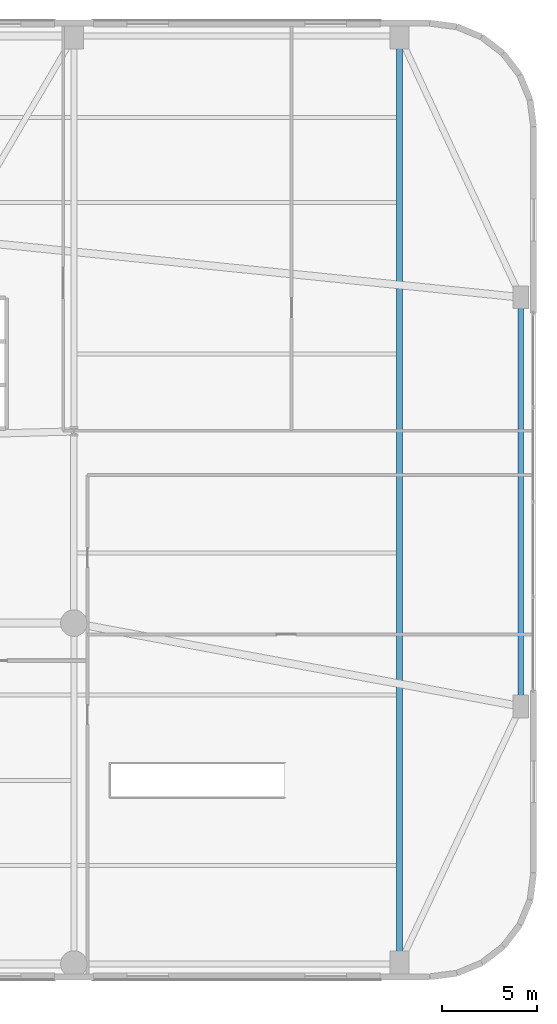
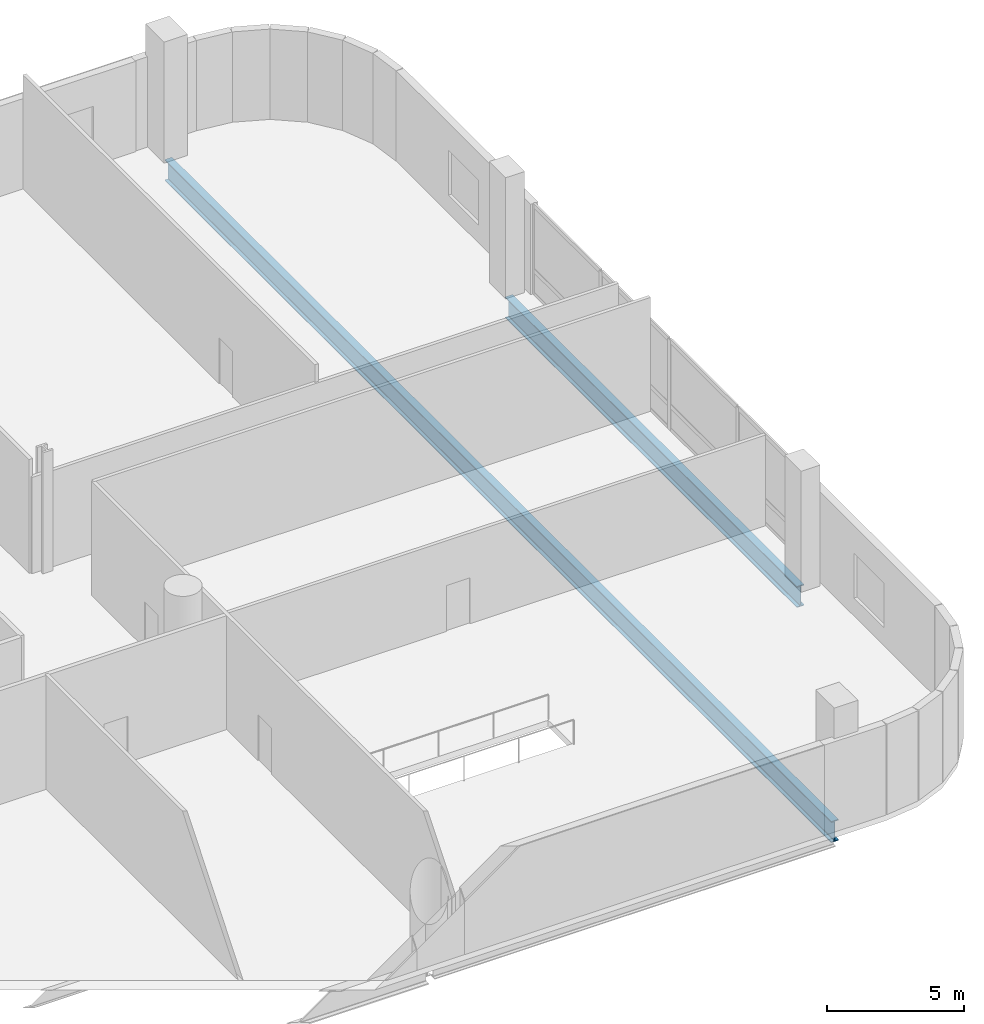
# One storey, part 19 of 31: 2 beams.
"""IFC4 building model written with IfcOpenShell, lengths in metres."""

from ifc_helpers import new_model, si_unit, direction, frame, origin, origin_2d, place, context, subcontext, project, spatial, i_section, extrude, material, material_profile, profile_set, type_object, element, save


model = new_model("IFC4")

# Units and contexts
model_context = context("Model", 3, precision=1e-05, world=origin(), true_north=direction((0.0, 1.0)))
body_context = subcontext(model_context, "Body", "Model", "MODEL_VIEW")
ifc_project = project(units=[si_unit("LENGTHUNIT", "METRE"), si_unit("AREAUNIT", "SQUARE_METRE"), si_unit("VOLUMEUNIT", "CUBIC_METRE"), si_unit("PLANEANGLEUNIT", "RADIAN"), si_unit("MASSUNIT", "GRAM", prefix="KILO")], contexts=[model_context])

# Site, building, storey
site_placement = place(None, origin())
site = spatial("IfcSite", under=ifc_project, at=site_placement, CompositionType="ELEMENT")
building_placement = place(site_placement, origin())
building = spatial("IfcBuilding", under=site, at=building_placement, Name="Varnelok Gate Tower", CompositionType="ELEMENT")
storey_placement = place(building_placement, frame((0.0, 0.0, 16.199951171875)))
storey = spatial("IfcBuildingStorey", under=building, at=storey_placement, Name="L03", CompositionType="ELEMENT", Elevation=16.199951171875)

# Beams
ifc_material = material(Name="Structural Steel ASTM A992 Grade 50", Category="steel")
ifc_material_profile = material_profile(ifc_material, i_section(OverallWidth=0.30810546875, OverallDepth=0.943115234375, WebThickness=0.022216796875, FlangeThickness=0.039794921875, FilletRadius=0.02587890625, at=origin_2d()), Name="W36X232")
ifc_profile_set = profile_set([ifc_material_profile], Name="Structural Steel ASTM A992 Grade 50")
beam_type = type_object("IfcBeamType", Name="BM-PRI-W36X232", PredefinedType="BEAM", material=ifc_profile_set)
beam_1_placement = place(storey_placement, frame((77.60009765625, 14.5400390625, -0.75146484375), z_axis=(0.0, 1.0, 0.0), x_axis=(-1.0, 0.0, 0.0)))
element("IfcBeam", 1, at=beam_1_placement, inside=storey, type_object=beam_type, Name="L03 Podium Primary Girder 7", PredefinedType="BEAM", context=body_context, shape_type="SweptSolid", body=[
    extrude(i_section(OverallWidth=0.30810546875, OverallDepth=0.943115234375, WebThickness=0.022216796875, FlangeThickness=0.039794921875, FilletRadius=0.02587890625, at=origin_2d()), origin(), (0.0, 0.0, 1.0), 21.320068359375),
])
beam_2_placement = place(storey_placement, frame((71.199951171875, 0.93994140625, -0.75146484375), z_axis=(0.0, 1.0, 0.0), x_axis=(-1.0, 0.0, 0.0)))
element("IfcBeam", 2, at=beam_2_placement, inside=storey, type_object=beam_type, Name="L03 Podium Primary Girder 15", PredefinedType="BEAM", context=body_context, shape_type="SweptSolid", body=[
    extrude(i_section(OverallWidth=0.30810546875, OverallDepth=0.943115234375, WebThickness=0.022216796875, FlangeThickness=0.039794921875, FilletRadius=0.02587890625, at=origin_2d()), origin(), (0.0, 0.0, 1.0), 48.719970703125),
])

save(model, "model.ifc")
